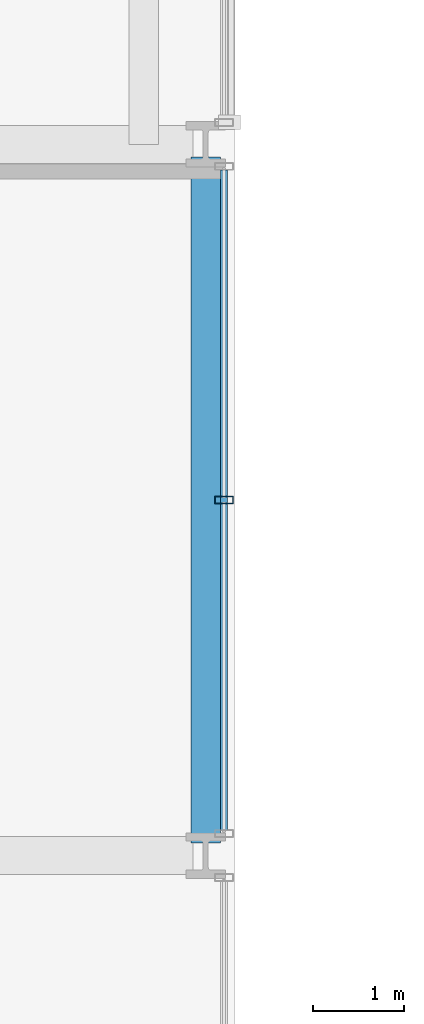
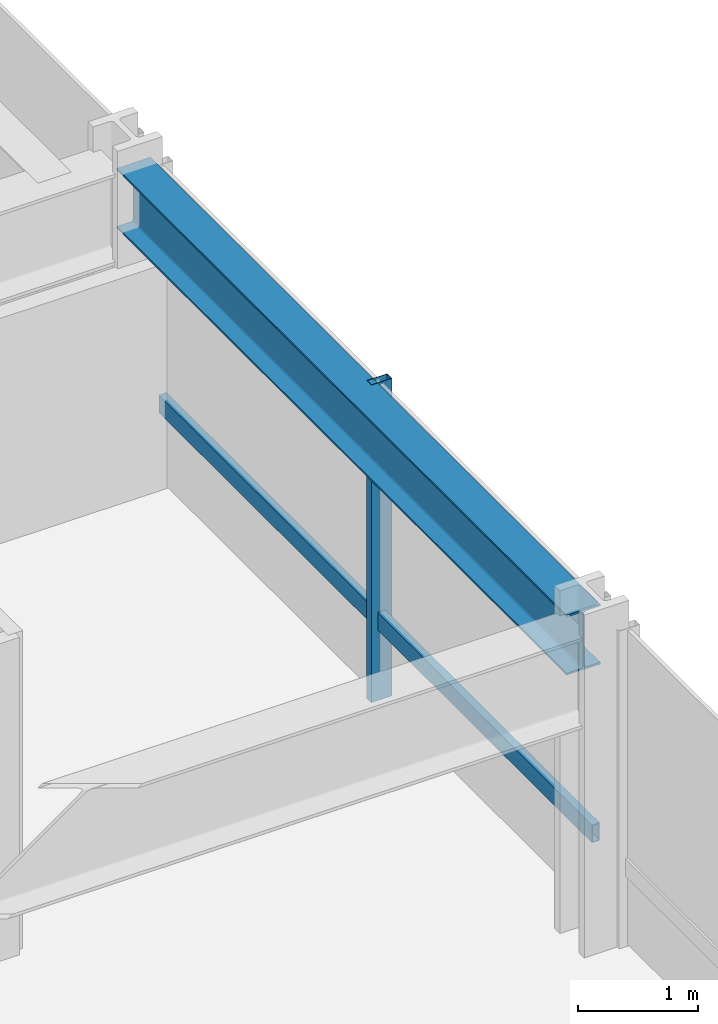
# One storey, part 14 of 38: 2 members, 1 beam, 1 element without a shape of its own.
"""IFC4 building model written with IfcOpenShell, lengths in metres."""

import ifcopenshell
import ifcopenshell.guid

model = None  # the IFC model being written
_history = None  # IfcOwnerHistory: only IFC2X3 demands one
_inside = {}  # id of a spatial element -> (the spatial element, [elements in it])
_under = {}  # id of a project, library or spatial element -> (it, [spatial elements below it])
_declared = {}  # id of a project -> (the project, [libraries it declares])
_typed = {}  # id of a type object -> (the type object, [elements of that type])
_made_of = {}  # id of a material, layer set ... -> (it, [elements and type objects made of it])


def new_model(schema):
    """Start an empty IFC model of exactly this schema.

    Asked for "IFC4X3", IfcOpenShell would pick the latest addendum, in which some entities
    have other attributes; the version numbers below select the first issue.
    IFC2X3 requires an IfcOwnerHistory on every rooted entity: one is made here for all.
    """
    global model, _history
    if schema == "IFC4X3":
        model = ifcopenshell.file(schema_version=(4, 3, 0, 0))
    else:
        model = ifcopenshell.file(schema=schema)
    _inside.clear()
    _under.clear()
    _declared.clear()
    _typed.clear()
    _made_of.clear()
    _history = None
    if model.schema == "IFC2X3":
        org = make("IfcOrganization", Name="unknown")
        user = make(
            "IfcPersonAndOrganization",
            ThePerson=make("IfcPerson", FamilyName="unknown"),
            TheOrganization=org,
        )
        app = make(
            "IfcApplication",
            ApplicationDeveloper=org,
            Version="unknown",
            ApplicationFullName="unknown",
            ApplicationIdentifier="unknown",
        )
        _history = make(
            "IfcOwnerHistory",
            OwningUser=user,
            OwningApplication=app,
            ChangeAction="ADDED",
            CreationDate=0,
        )
    return model


def make(cls, **values):
    """One entity of the class cls with the attributes given. An attribute that is None is left unset."""
    return model.create_entity(
        cls, **{name: value for name, value in values.items() if value is not None}
    )


def rooted(cls, **values):
    """An entity with a GlobalId (a new one), such as an element, a storey or a relation."""
    return make(cls, GlobalId=ifcopenshell.guid.new(), OwnerHistory=_history, **values)


def si_unit(unit_type, name, prefix=None):
    """IfcSIUnit, for example si_unit("LENGTHUNIT", "METRE", prefix="MILLI")."""
    return make("IfcSIUnit", UnitType=unit_type, Prefix=prefix, Name=name)


def assignment(units):
    """IfcUnitAssignment: the units of a project."""
    return None if units is None else make("IfcUnitAssignment", Units=units)


def point(xyz):
    """IfcCartesianPoint."""
    return None if xyz is None else make("IfcCartesianPoint", Coordinates=xyz)


def direction(xyz):
    """IfcDirection."""
    return None if xyz is None else make("IfcDirection", DirectionRatios=xyz)


def frame(location, z_axis=None, x_axis=None):
    """IfcAxis2Placement3D, a coordinate frame: its origin and axes. An axis left out is left unset."""
    return make(
        "IfcAxis2Placement3D",
        Location=point(location),
        Axis=direction(z_axis),
        RefDirection=direction(x_axis),
    )


def frame_2d(location, x_axis=None):
    """IfcAxis2Placement2D, a coordinate frame in the plane: its origin and x axis."""
    return make(
        "IfcAxis2Placement2D", Location=point(location), RefDirection=direction(x_axis)
    )


def origin():
    """The frame at (0, 0, 0) with its axes left unset."""
    return frame((0.0, 0.0, 0.0))


def origin_2d():
    """The frame at (0, 0) in the plane with its x axis left unset."""
    return frame_2d((0.0, 0.0))


def place(relative_to, where):
    """IfcLocalPlacement: puts the frame where relative to a parent placement (None: the world)."""
    return make(
        "IfcLocalPlacement", PlacementRelTo=relative_to, RelativePlacement=where
    )


def context(
    kind, dimensions, precision=None, world=None, true_north=None, identifier=None
):
    """IfcGeometricRepresentationContext, for example the 3D "Model" context."""
    return make(
        "IfcGeometricRepresentationContext",
        ContextIdentifier=identifier,
        ContextType=kind,
        CoordinateSpaceDimension=dimensions,
        Precision=precision,
        WorldCoordinateSystem=world,
        TrueNorth=true_north,
    )


def subcontext(parent, identifier, kind, view, scale=None):
    """IfcGeometricRepresentationSubContext, for example "Body" below "Model"."""
    return make(
        "IfcGeometricRepresentationSubContext",
        ContextIdentifier=identifier,
        ContextType=kind,
        ParentContext=parent,
        TargetScale=scale,
        TargetView=view,
    )


def project(units=None, contexts=None):
    """IfcProject with its units and contexts."""
    return rooted(
        "IfcProject",
        Name="project",
        RepresentationContexts=contexts,
        UnitsInContext=assignment(units),
    )


def spatial(cls, under=None, at=None, **own):
    """A site, building, storey or space (cls), placed at a placement, below another one or the project."""
    s = rooted(cls, ObjectPlacement=at, **own)
    if under is not None:
        _under.setdefault(under.id(), (under, []))[1].append(s)
    return s


def profile(cls, at=None, kind="AREA", **sizes):
    """A parametric profile (cls). Its sizes go by their IFC names, for example OverallWidth=200.0."""
    return make(cls, ProfileType=kind, Position=at, **sizes)


def hollow_rectangle(**sizes):
    """IfcRectangleHollowProfileDef."""
    return profile("IfcRectangleHollowProfileDef", **sizes)


def i_section(**sizes):
    """IfcIShapeProfileDef."""
    return profile("IfcIShapeProfileDef", **sizes)


def extrude(swept, where, along, depth):
    """IfcExtrudedAreaSolid: the profile swept, set in the frame where, extruded along a direction by depth."""
    return make(
        "IfcExtrudedAreaSolid",
        SweptArea=swept,
        Position=where,
        ExtrudedDirection=direction(along),
        Depth=depth,
    )


def shape(context_of_items, identifier, shape_type, items):
    """IfcShapeRepresentation: the items that make up one representation, for example the "Body"."""
    return make(
        "IfcShapeRepresentation",
        ContextOfItems=context_of_items,
        RepresentationIdentifier=identifier,
        RepresentationType=shape_type,
        Items=items,
    )


def material(Name=None, Category=None):
    """IfcMaterial."""
    return make("IfcMaterial", Name=Name, Category=Category)


def layer(
    of_material, thickness, ventilated=None, Name=None, Category=None, Priority=None
):
    """IfcMaterialLayer: one layer of a wall or slab, of a material (None: an air gap)."""
    return make(
        "IfcMaterialLayer",
        Material=of_material,
        LayerThickness=thickness,
        IsVentilated=ventilated,
        Name=Name,
        Category=Category,
        Priority=Priority,
    )


def layer_set(layers, Name=None):
    """IfcMaterialLayerSet."""
    return make("IfcMaterialLayerSet", MaterialLayers=layers, LayerSetName=Name)


def material_profile(
    of_material, cross_section, Name=None, Category=None, Priority=None
):
    """IfcMaterialProfile: a cross section and its material."""
    return make(
        "IfcMaterialProfile",
        Name=Name,
        Material=of_material,
        Profile=cross_section,
        Priority=Priority,
        Category=Category,
    )


def profile_set(profiles, Name=None, composite=None):
    """IfcMaterialProfileSet."""
    return make(
        "IfcMaterialProfileSet",
        Name=Name,
        MaterialProfiles=profiles,
        CompositeProfile=composite,
    )


def made_of(thing, what):
    """Note that an element or type object is made of a material, layer set ...; save() writes the relation."""
    if what is not None:
        _made_of.setdefault(what.id(), (what, []))[1].append(thing)
    return thing


def type_object(cls, material=None, **own):
    """A type object (cls), such as IfcWallType, which elements share."""
    return made_of(rooted(cls, **own), material)


def element(
    cls,
    number,
    at=None,
    inside=None,
    cuts=None,
    type_object=None,
    material=None,
    context=None,
    identifier="Body",
    shape_type=None,
    held_by="IfcProductDefinitionShape",
    body=None,
    shapes=None,
    **own,
):
    """One element of the class cls, such as IfcWall. Its Tag is "e" and its number.

    at: its placement. inside: the storey or other place that contains it. cuts: it is an
    opening in that element (IfcRelVoidsElement). A single representation is given by context,
    identifier, shape_type and body (its items); several are given by shapes. held_by: the class
    of the entity that holds the representations. save() writes the other relations.
    """
    e = rooted(cls, Tag="e%d" % number, ObjectPlacement=at, **own)
    if body is not None:
        shapes = [shape(context, identifier, shape_type, body)]
    if shapes is not None:
        e.Representation = make(held_by, Representations=shapes)
    if inside is not None:
        _inside.setdefault(inside.id(), (inside, []))[1].append(e)
    if cuts is not None:
        rooted(
            "IfcRelVoidsElement", RelatingBuildingElement=cuts, RelatedOpeningElement=e
        )
    if type_object is not None:
        _typed.setdefault(type_object.id(), (type_object, []))[1].append(e)
    return made_of(e, material)


def aggregate(whole, parts):
    """IfcRelAggregates: a whole, such as a stair, and the parts it consists of."""
    return rooted("IfcRelAggregates", RelatingObject=whole, RelatedObjects=parts)


def save(model, path):
    """Write the relations noted so far, then the file.

    IfcRelAggregates (storeys below a building ...), IfcRelContainedInSpatialStructure (elements
    in a storey), IfcRelDefinesByType, IfcRelAssociatesMaterial and IfcRelDeclares: one each for
    every whole, place, type object, material and project.
    """
    for whole, parts in _under.values():
        aggregate(whole, parts)
    for where, things in _inside.values():
        rooted(
            "IfcRelContainedInSpatialStructure",
            RelatedElements=things,
            RelatingStructure=where,
        )
    for kind, things in _typed.values():
        rooted("IfcRelDefinesByType", RelatedObjects=things, RelatingType=kind)
    for what, things in _made_of.values():
        rooted("IfcRelAssociatesMaterial", RelatedObjects=things, RelatingMaterial=what)
    for by, libraries in _declared.values():
        rooted("IfcRelDeclares", RelatingContext=by, RelatedDefinitions=libraries)
    model.write(path)


model = new_model("IFC4")

# Units and contexts
model_context = context("Model", 3, precision=1e-05, world=origin(), true_north=direction((0.0, 1.0)))
body_context = subcontext(model_context, "Body", "Model", "MODEL_VIEW")
ifc_project = project(units=[si_unit("LENGTHUNIT", "METRE"), si_unit("AREAUNIT", "SQUARE_METRE"), si_unit("VOLUMEUNIT", "CUBIC_METRE"), si_unit("PLANEANGLEUNIT", "RADIAN"), si_unit("MASSUNIT", "GRAM", prefix="KILO")], contexts=[model_context])

# Site, building, storey
site_placement = place(None, origin())
site = spatial("IfcSite", under=ifc_project, at=site_placement, CompositionType="ELEMENT")
building_placement = place(site_placement, origin())
building = spatial("IfcBuilding", under=site, at=building_placement, Name="Drelvath Grand Hotel", CompositionType="ELEMENT")
storey_placement = place(building_placement, frame((0.0, 0.0, 47.199951171875)))
storey = spatial("IfcBuildingStorey", under=building, at=storey_placement, Name="L10", CompositionType="ELEMENT", Elevation=47.199951171875)

# Curtain wall, members
ifc_material_1 = material(Name="Warm Bronze Anodised Aluminium Frame", Category="aluminium")
ifc_layer = layer(ifc_material_1, 0.199951171875)
ifc_layer_set = layer_set([ifc_layer], Name="Warm Bronze Anodised Aluminium Frame")
curtain_wall_type = type_object("IfcCurtainWallType", Name="Stick Curtain Wall CW-02 Warm Bronze Low-Rise", PredefinedType="NOTDEFINED", material=ifc_layer_set)
curtain_wall_placement = place(storey_placement, origin())
curtain_wall = element("IfcCurtainWall", 1, at=curtain_wall_placement, inside=storey, type_object=curtain_wall_type, Name="L10 CW-02 Curtain Wall CW02-L10-ES2", PredefinedType="NOTDEFINED")
ifc_material_profile_1 = material_profile(ifc_material_1, hollow_rectangle(XDim=0.074951171875, YDim=0.179931640625, WallThickness=0.0048828125, at=origin_2d()), Name="HSS180X75X5")
ifc_profile_set_1 = profile_set([ifc_material_profile_1], Name="Warm Bronze Anodised Aluminium Frame")
member_type_1 = type_object("IfcMemberType", Name="Curtain Wall Horizontal Transom CW-02 HSS180X75X5", PredefinedType="USERDEFINED", material=ifc_profile_set_1)
member_1_placement = place(storey_placement, frame((26.8798828125, 18.319091796875, 0.81005859375), z_axis=(0.0, -1.0, 0.0), x_axis=(1.0, 0.0, 0.0)))
member_1 = element("IfcMember", 2, at=member_1_placement, type_object=member_type_1, Name="CW02-L10-ES2 Sill Transom", ObjectType="TRANSOM", PredefinedType="USERDEFINED", context=body_context, shape_type="SweptSolid", body=[
    extrude(hollow_rectangle(XDim=0.074951171875, YDim=0.179931640625, WallThickness=0.0048828125, at=origin_2d()), origin(), (0.0, 0.0, 1.0), 7.23828125),
])
ifc_material_profile_2 = material_profile(ifc_material_1, hollow_rectangle(XDim=0.080078125, YDim=0.199951171875, WallThickness=0.0048828125, at=origin_2d()), Name="HSS200X80X5")
ifc_profile_set_2 = profile_set([ifc_material_profile_2], Name="Warm Bronze Anodised Aluminium Frame")
member_type_2 = type_object("IfcMemberType", Name="Curtain Wall Vertical Mullion CW-02 HSS200X80X5", PredefinedType="MULLION", material=ifc_profile_set_2)
member_2_placement = place(storey_placement, frame((26.8798828125, 14.699951171875, 0.0), z_axis=(0.0, 0.0, 1.0), x_axis=(0.0, 1.0, 0.0)))
member_2 = element("IfcMember", 3, at=member_2_placement, type_object=member_type_2, Name="CW02-L10-ES2 Mullion 2", PredefinedType="MULLION", context=body_context, shape_type="SweptSolid", body=[
    extrude(hollow_rectangle(XDim=0.080078125, YDim=0.199951171875, WallThickness=0.0048828125, at=origin_2d()), origin(), (0.0, 0.0, 1.0), 3.239990234375),
])
aggregate(curtain_wall, [member_2, member_1])

# Beam
ifc_material_2 = material(Name="Steel ASTM A992 Gr 50", Category="steel")
ifc_material_profile_3 = material_profile(ifc_material_2, i_section(OverallWidth=0.323974609375, OverallDepth=0.611083984375, WebThickness=0.0126953125, FlangeThickness=0.01904296875, FilletRadius=0.02197265625, at=origin_2d()), Name="W24X104")
ifc_profile_set_3 = profile_set([ifc_material_profile_3], Name="Steel ASTM A992 Gr 50")
beam_type = type_object("IfcBeamType", Name="Perimeter Spandrel Beam W24X104", PredefinedType="SPANDREL", material=ifc_profile_set_3)
beam_placement = place(storey_placement, frame((26.679931640625, 10.93994140625, 2.9345703125), z_axis=(0.0, 1.0, 0.0), x_axis=(-1.0, 0.0, 0.0)))
element("IfcBeam", 4, at=beam_placement, inside=storey, type_object=beam_type, Name="L10 Spandrel East S", PredefinedType="SPANDREL", context=body_context, shape_type="SweptSolid", body=[
    extrude(i_section(OverallWidth=0.323974609375, OverallDepth=0.611083984375, WebThickness=0.0126953125, FlangeThickness=0.01904296875, FilletRadius=0.02197265625, at=origin_2d()), origin(), (0.0, 0.0, 1.0), 7.52001953125),
])

save(model, "model.ifc")
